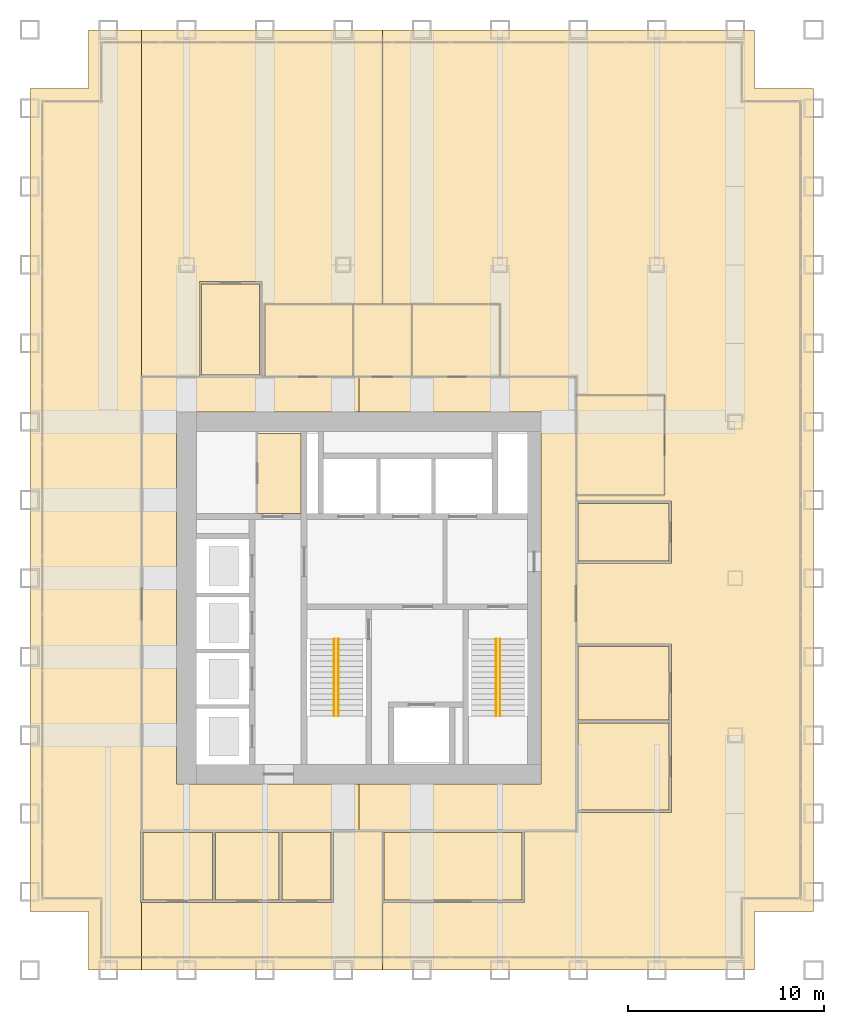
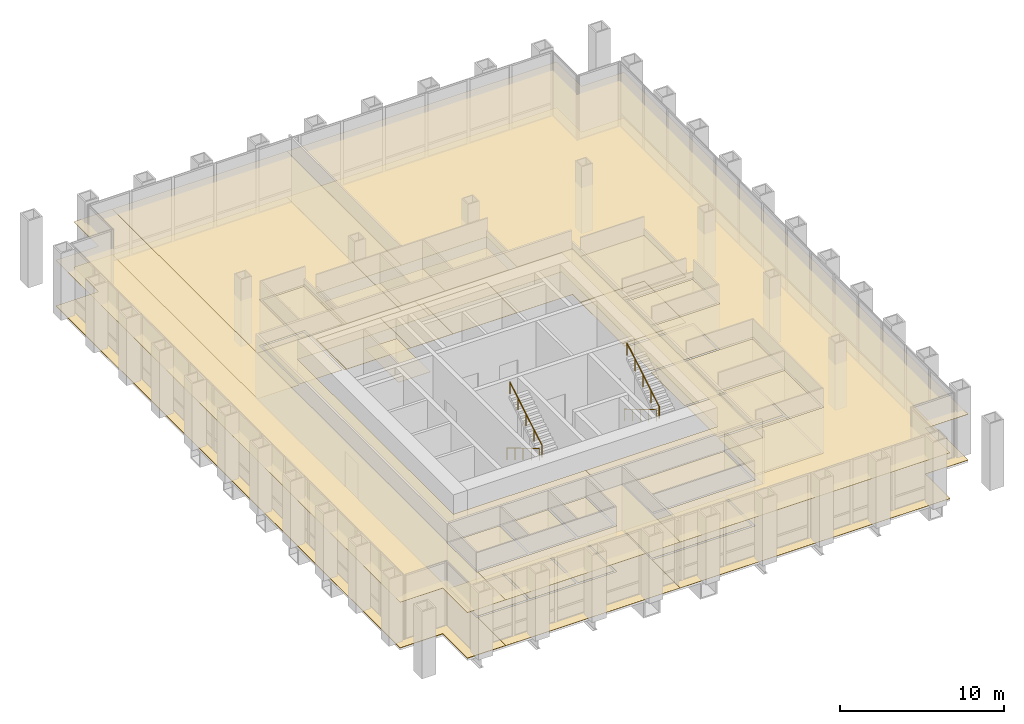
# One storey, part 12 of 13: 35 coverings, 4 railings.
"""IFC4 building model written with IfcOpenShell, lengths in metres."""

import ifcopenshell
import ifcopenshell.guid

model = None  # the IFC model being written
_history = None  # IfcOwnerHistory: only IFC2X3 demands one
_inside = {}  # id of a spatial element -> (the spatial element, [elements in it])
_under = {}  # id of a project, library or spatial element -> (it, [spatial elements below it])
_declared = {}  # id of a project -> (the project, [libraries it declares])
_typed = {}  # id of a type object -> (the type object, [elements of that type])
_made_of = {}  # id of a material, layer set ... -> (it, [elements and type objects made of it])


def new_model(schema):
    """Start an empty IFC model of exactly this schema.

    Asked for "IFC4X3", IfcOpenShell would pick the latest addendum, in which some entities
    have other attributes; the version numbers below select the first issue.
    IFC2X3 requires an IfcOwnerHistory on every rooted entity: one is made here for all.
    """
    global model, _history
    if schema == "IFC4X3":
        model = ifcopenshell.file(schema_version=(4, 3, 0, 0))
    else:
        model = ifcopenshell.file(schema=schema)
    _inside.clear()
    _under.clear()
    _declared.clear()
    _typed.clear()
    _made_of.clear()
    _history = None
    if model.schema == "IFC2X3":
        org = make("IfcOrganization", Name="unknown")
        user = make(
            "IfcPersonAndOrganization",
            ThePerson=make("IfcPerson", FamilyName="unknown"),
            TheOrganization=org,
        )
        app = make(
            "IfcApplication",
            ApplicationDeveloper=org,
            Version="unknown",
            ApplicationFullName="unknown",
            ApplicationIdentifier="unknown",
        )
        _history = make(
            "IfcOwnerHistory",
            OwningUser=user,
            OwningApplication=app,
            ChangeAction="ADDED",
            CreationDate=0,
        )
    return model


def make(cls, **values):
    """One entity of the class cls with the attributes given. An attribute that is None is left unset."""
    return model.create_entity(
        cls, **{name: value for name, value in values.items() if value is not None}
    )


def rooted(cls, **values):
    """An entity with a GlobalId (a new one), such as an element, a storey or a relation."""
    return make(cls, GlobalId=ifcopenshell.guid.new(), OwnerHistory=_history, **values)


def si_unit(unit_type, name, prefix=None):
    """IfcSIUnit, for example si_unit("LENGTHUNIT", "METRE", prefix="MILLI")."""
    return make("IfcSIUnit", UnitType=unit_type, Prefix=prefix, Name=name)


def assignment(units):
    """IfcUnitAssignment: the units of a project."""
    return None if units is None else make("IfcUnitAssignment", Units=units)


def point(xyz):
    """IfcCartesianPoint."""
    return None if xyz is None else make("IfcCartesianPoint", Coordinates=xyz)


def direction(xyz):
    """IfcDirection."""
    return None if xyz is None else make("IfcDirection", DirectionRatios=xyz)


def frame(location, z_axis=None, x_axis=None):
    """IfcAxis2Placement3D, a coordinate frame: its origin and axes. An axis left out is left unset."""
    return make(
        "IfcAxis2Placement3D",
        Location=point(location),
        Axis=direction(z_axis),
        RefDirection=direction(x_axis),
    )


def frame_2d(location, x_axis=None):
    """IfcAxis2Placement2D, a coordinate frame in the plane: its origin and x axis."""
    return make(
        "IfcAxis2Placement2D", Location=point(location), RefDirection=direction(x_axis)
    )


def origin():
    """The frame at (0, 0, 0) with its axes left unset."""
    return frame((0.0, 0.0, 0.0))


def origin_2d():
    """The frame at (0, 0) in the plane with its x axis left unset."""
    return frame_2d((0.0, 0.0))


def place(relative_to, where):
    """IfcLocalPlacement: puts the frame where relative to a parent placement (None: the world)."""
    return make(
        "IfcLocalPlacement", PlacementRelTo=relative_to, RelativePlacement=where
    )


def context(
    kind, dimensions, precision=None, world=None, true_north=None, identifier=None
):
    """IfcGeometricRepresentationContext, for example the 3D "Model" context."""
    return make(
        "IfcGeometricRepresentationContext",
        ContextIdentifier=identifier,
        ContextType=kind,
        CoordinateSpaceDimension=dimensions,
        Precision=precision,
        WorldCoordinateSystem=world,
        TrueNorth=true_north,
    )


def subcontext(parent, identifier, kind, view, scale=None):
    """IfcGeometricRepresentationSubContext, for example "Body" below "Model"."""
    return make(
        "IfcGeometricRepresentationSubContext",
        ContextIdentifier=identifier,
        ContextType=kind,
        ParentContext=parent,
        TargetScale=scale,
        TargetView=view,
    )


def project(units=None, contexts=None):
    """IfcProject with its units and contexts."""
    return rooted(
        "IfcProject",
        Name="project",
        RepresentationContexts=contexts,
        UnitsInContext=assignment(units),
    )


def spatial(cls, under=None, at=None, **own):
    """A site, building, storey or space (cls), placed at a placement, below another one or the project."""
    s = rooted(cls, ObjectPlacement=at, **own)
    if under is not None:
        _under.setdefault(under.id(), (under, []))[1].append(s)
    return s


def polyline(points):
    """IfcPolyline through the points."""
    return make("IfcPolyline", Points=[point(p) for p in points])


def profile(cls, at=None, kind="AREA", **sizes):
    """A parametric profile (cls). Its sizes go by their IFC names, for example OverallWidth=200.0."""
    return make(cls, ProfileType=kind, Position=at, **sizes)


def circle(**sizes):
    """IfcCircleProfileDef."""
    return profile("IfcCircleProfileDef", **sizes)


def outline(outer, holes=None, kind="AREA"):
    """IfcArbitraryClosedProfileDef: a profile drawn as a closed curve; with holes, ...WithVoids."""
    if holes is None:
        return make("IfcArbitraryClosedProfileDef", ProfileType=kind, OuterCurve=outer)
    return make(
        "IfcArbitraryProfileDefWithVoids",
        ProfileType=kind,
        OuterCurve=outer,
        InnerCurves=holes,
    )


def extrude(swept, where, along, depth):
    """IfcExtrudedAreaSolid: the profile swept, set in the frame where, extruded along a direction by depth."""
    return make(
        "IfcExtrudedAreaSolid",
        SweptArea=swept,
        Position=where,
        ExtrudedDirection=direction(along),
        Depth=depth,
    )


def shape(context_of_items, identifier, shape_type, items):
    """IfcShapeRepresentation: the items that make up one representation, for example the "Body"."""
    return make(
        "IfcShapeRepresentation",
        ContextOfItems=context_of_items,
        RepresentationIdentifier=identifier,
        RepresentationType=shape_type,
        Items=items,
    )


def material(Name=None, Category=None):
    """IfcMaterial."""
    return make("IfcMaterial", Name=Name, Category=Category)


def layer(
    of_material, thickness, ventilated=None, Name=None, Category=None, Priority=None
):
    """IfcMaterialLayer: one layer of a wall or slab, of a material (None: an air gap)."""
    return make(
        "IfcMaterialLayer",
        Material=of_material,
        LayerThickness=thickness,
        IsVentilated=ventilated,
        Name=Name,
        Category=Category,
        Priority=Priority,
    )


def layer_set(layers, Name=None):
    """IfcMaterialLayerSet."""
    return make("IfcMaterialLayerSet", MaterialLayers=layers, LayerSetName=Name)


def made_of(thing, what):
    """Note that an element or type object is made of a material, layer set ...; save() writes the relation."""
    if what is not None:
        _made_of.setdefault(what.id(), (what, []))[1].append(thing)
    return thing


def type_object(cls, material=None, **own):
    """A type object (cls), such as IfcWallType, which elements share."""
    return made_of(rooted(cls, **own), material)


def element(
    cls,
    number,
    at=None,
    inside=None,
    cuts=None,
    type_object=None,
    material=None,
    context=None,
    identifier="Body",
    shape_type=None,
    held_by="IfcProductDefinitionShape",
    body=None,
    shapes=None,
    **own,
):
    """One element of the class cls, such as IfcWall. Its Tag is "e" and its number.

    at: its placement. inside: the storey or other place that contains it. cuts: it is an
    opening in that element (IfcRelVoidsElement). A single representation is given by context,
    identifier, shape_type and body (its items); several are given by shapes. held_by: the class
    of the entity that holds the representations. save() writes the other relations.
    """
    e = rooted(cls, Tag="e%d" % number, ObjectPlacement=at, **own)
    if body is not None:
        shapes = [shape(context, identifier, shape_type, body)]
    if shapes is not None:
        e.Representation = make(held_by, Representations=shapes)
    if inside is not None:
        _inside.setdefault(inside.id(), (inside, []))[1].append(e)
    if cuts is not None:
        rooted(
            "IfcRelVoidsElement", RelatingBuildingElement=cuts, RelatedOpeningElement=e
        )
    if type_object is not None:
        _typed.setdefault(type_object.id(), (type_object, []))[1].append(e)
    return made_of(e, material)


def aggregate(whole, parts):
    """IfcRelAggregates: a whole, such as a stair, and the parts it consists of."""
    return rooted("IfcRelAggregates", RelatingObject=whole, RelatedObjects=parts)


def save(model, path):
    """Write the relations noted so far, then the file.

    IfcRelAggregates (storeys below a building ...), IfcRelContainedInSpatialStructure (elements
    in a storey), IfcRelDefinesByType, IfcRelAssociatesMaterial and IfcRelDeclares: one each for
    every whole, place, type object, material and project.
    """
    for whole, parts in _under.values():
        aggregate(whole, parts)
    for where, things in _inside.values():
        rooted(
            "IfcRelContainedInSpatialStructure",
            RelatedElements=things,
            RelatingStructure=where,
        )
    for kind, things in _typed.values():
        rooted("IfcRelDefinesByType", RelatedObjects=things, RelatingType=kind)
    for what, things in _made_of.values():
        rooted("IfcRelAssociatesMaterial", RelatedObjects=things, RelatingMaterial=what)
    for by, libraries in _declared.values():
        rooted("IfcRelDeclares", RelatingContext=by, RelatedDefinitions=libraries)
    model.write(path)


model = new_model("IFC4")

# Units and contexts
model_context = context("Model", 3, precision=1e-05, world=origin(), true_north=direction((0.0, 1.0)))
body_context = subcontext(model_context, "Body", "Model", "MODEL_VIEW")
ifc_project = project(units=[si_unit("LENGTHUNIT", "METRE"), si_unit("AREAUNIT", "SQUARE_METRE"), si_unit("VOLUMEUNIT", "CUBIC_METRE"), si_unit("PLANEANGLEUNIT", "RADIAN"), si_unit("MASSUNIT", "GRAM", prefix="KILO")], contexts=[model_context])

# Site, building, storey
site_placement = place(None, origin())
site = spatial("IfcSite", under=ifc_project, at=site_placement, CompositionType="ELEMENT")
building_placement = place(site_placement, origin())
building = spatial("IfcBuilding", under=site, at=building_placement, Name="Rimbunsela Tower", CompositionType="ELEMENT")
storey_placement = place(building_placement, frame((0.0, 0.0, 209.199951171875)))
storey = spatial("IfcBuildingStorey", under=building, at=storey_placement, Name="L50", CompositionType="ELEMENT", Elevation=209.199951171875)

# Coverings
ifc_material_1 = material(Name="Nylon carpet tile", Category="textile")
ifc_layer_1 = layer(ifc_material_1, 0.010009765625)
ifc_layer_set_1 = layer_set([ifc_layer_1], Name="Carpet tile 10")
covering_type_1 = type_object("IfcCoveringType", Name="Carpet tile 10", PredefinedType="FLOORING", material=ifc_layer_set_1)
covering_1_placement = place(storey_placement, origin())
element("IfcCovering", 1, at=covering_1_placement, inside=storey, type_object=covering_type_1, Name="Floor finish Business centre", PredefinedType="FLOORING", context=body_context, shape_type="SweptSolid", body=[
    extrude(outline(polyline([(19.449951171875, 11.449951171875), (22.75, 11.449951171875), (22.85009765625, 11.449951171875), (25.5, 11.449951171875), (25.5, 15.10009765625), (27.9990234375, 15.10009765625), (27.9990234375, 8.0), (15.699951171875, 8.0), (15.699951171875, 11.449951171875), (19.35009765625, 11.449951171875), (19.449951171875, 11.449951171875)])), origin(), (0.0, 0.0, 1.0), 0.010009765625),
])
covering_2_placement = place(storey_placement, origin())
element("IfcCovering", 2, at=covering_2_placement, inside=storey, type_object=covering_type_1, Name="Floor finish Business centre", PredefinedType="FLOORING", context=body_context, shape_type="SweptSolid", body=[
    extrude(outline(polyline([(27.9990234375, 42.0), (22.0, 42.0), (22.0, 38.300048828125), (21.85009765625, 38.300048828125), (21.85009765625, 43.14990234375), (18.64990234375, 43.14990234375), (18.64990234375, 38.300048828125), (15.699951171875, 38.300048828125), (15.699951171875, 56.0), (27.9990234375, 56.0), (27.9990234375, 42.0)])), origin(), (0.0, 0.0, 1.0), 0.010009765625),
])
covering_3_placement = place(storey_placement, origin())
element("IfcCovering", 3, at=covering_3_placement, inside=storey, type_object=covering_type_1, Name="Floor finish Open office", PredefinedType="FLOORING", context=body_context, shape_type="SweptSolid", body=[
    extrude(outline(polyline([(28.0009765625, 11.449951171875), (35.2509765625, 11.449951171875), (35.2509765625, 15.10009765625), (37.89990234375, 15.10009765625), (37.89990234375, 16.050048828125), (42.75, 16.050048828125), (42.75, 20.64990234375), (42.75, 20.75), (42.75, 24.64990234375), (37.89990234375, 24.64990234375), (37.89990234375, 28.75), (42.75, 28.75), (42.75, 31.949951171875), (37.89990234375, 31.949951171875), (37.89990234375, 32.25), (42.39990234375, 32.25), (42.39990234375, 37.35009765625), (37.89990234375, 37.35009765625), (37.89990234375, 38.300048828125), (34.0, 38.300048828125), (34.0, 42.0), (28.0009765625, 42.0), (28.0009765625, 56.0), (37.89990234375, 56.0), (47.0, 56.0), (47.0, 53.0), (50.0, 53.0), (50.0, 11.0), (47.0, 11.0), (47.0, 8.0), (37.89990234375, 8.0), (28.0009765625, 8.0), (28.0009765625, 11.449951171875)])), origin(), (0.0, 0.0, 1.0), 0.010009765625),
])
covering_4_placement = place(storey_placement, origin())
element("IfcCovering", 4, at=covering_4_placement, inside=storey, type_object=covering_type_1, Name="Floor finish Reception", PredefinedType="FLOORING", context=body_context, shape_type="SweptSolid", body=[
    extrude(outline(polyline([(42.39990234375, 32.25), (42.39990234375, 37.35009765625), (37.89990234375, 37.35009765625), (37.89990234375, 32.25), (42.39990234375, 32.25)])), origin(), (0.0, 0.0, 1.0), 0.010009765625),
])
covering_5_placement = place(storey_placement, origin())
element("IfcCovering", 5, at=covering_5_placement, inside=storey, type_object=covering_type_1, Name="Floor finish Meeting room", PredefinedType="FLOORING", context=body_context, shape_type="SweptSolid", body=[
    extrude(outline(polyline([(19.324951171875, 11.574951171875), (19.324951171875, 15.02490234375), (15.77490234375, 15.02490234375), (15.77490234375, 11.574951171875), (19.324951171875, 11.574951171875)])), origin(), (0.0, 0.0, 1.0), 0.010009765625),
])
covering_6_placement = place(storey_placement, origin())
element("IfcCovering", 6, at=covering_6_placement, inside=storey, type_object=covering_type_1, Name="Floor finish Pantry", PredefinedType="FLOORING", context=body_context, shape_type="SweptSolid", body=[
    extrude(outline(polyline([(22.72509765625, 11.574951171875), (22.72509765625, 15.02490234375), (19.47509765625, 15.02490234375), (19.47509765625, 11.574951171875), (22.72509765625, 11.574951171875)])), origin(), (0.0, 0.0, 1.0), 0.010009765625),
])
covering_7_placement = place(storey_placement, origin())
element("IfcCovering", 7, at=covering_7_placement, inside=storey, type_object=covering_type_1, Name="Floor finish Print and copy room", PredefinedType="FLOORING", context=body_context, shape_type="SweptSolid", body=[
    extrude(outline(polyline([(25.375, 11.574951171875), (25.375, 15.02490234375), (22.875, 15.02490234375), (22.875, 11.574951171875), (25.375, 11.574951171875)])), origin(), (0.0, 0.0, 1.0), 0.010009765625),
])
covering_8_placement = place(storey_placement, origin())
element("IfcCovering", 8, at=covering_8_placement, inside=storey, type_object=covering_type_1, Name="Floor finish Boardroom", PredefinedType="FLOORING", context=body_context, shape_type="SweptSolid", body=[
    extrude(outline(polyline([(35.1259765625, 11.574951171875), (35.1259765625, 15.02490234375), (28.075927734375, 15.02490234375), (28.075927734375, 11.574951171875), (35.1259765625, 11.574951171875)])), origin(), (0.0, 0.0, 1.0), 0.010009765625),
])
covering_9_placement = place(storey_placement, origin())
element("IfcCovering", 9, at=covering_9_placement, inside=storey, type_object=covering_type_1, Name="Floor finish Pantry", PredefinedType="FLOORING", context=body_context, shape_type="SweptSolid", body=[
    extrude(outline(polyline([(42.625, 16.175048828125), (42.625, 20.625), (37.97509765625, 20.625), (37.97509765625, 16.175048828125), (42.625, 16.175048828125)])), origin(), (0.0, 0.0, 1.0), 0.010009765625),
])
covering_10_placement = place(storey_placement, origin())
element("IfcCovering", 10, at=covering_10_placement, inside=storey, type_object=covering_type_1, Name="Floor finish Print and copy room", PredefinedType="FLOORING", context=body_context, shape_type="SweptSolid", body=[
    extrude(outline(polyline([(42.625, 20.77490234375), (42.625, 24.52490234375), (37.97509765625, 24.52490234375), (37.97509765625, 20.77490234375), (42.625, 20.77490234375)])), origin(), (0.0, 0.0, 1.0), 0.010009765625),
])
covering_11_placement = place(storey_placement, origin())
element("IfcCovering", 11, at=covering_11_placement, inside=storey, type_object=covering_type_1, Name="Floor finish Office", PredefinedType="FLOORING", context=body_context, shape_type="SweptSolid", body=[
    extrude(outline(polyline([(42.625, 28.875), (42.625, 31.824951171875), (37.97509765625, 31.824951171875), (37.97509765625, 28.875), (42.625, 28.875)])), origin(), (0.0, 0.0, 1.0), 0.010009765625),
])
covering_12_placement = place(storey_placement, origin())
element("IfcCovering", 12, at=covering_12_placement, inside=storey, type_object=covering_type_1, Name="Floor finish Office", PredefinedType="FLOORING", context=body_context, shape_type="SweptSolid", body=[
    extrude(outline(polyline([(21.72509765625, 38.375), (21.72509765625, 43.02490234375), (18.77490234375, 43.02490234375), (18.77490234375, 38.375), (21.72509765625, 38.375)])), origin(), (0.0, 0.0, 1.0), 0.010009765625),
])
ifc_material_2 = material(Name="Mineral fibre ceiling tile", Category="gypsum")
ifc_layer_2 = layer(ifc_material_2, 0.02001953125)
ifc_layer_set_2 = layer_set([ifc_layer_2], Name="Ceiling 600 grid")
covering_type_2 = type_object("IfcCoveringType", Name="Ceiling 600 grid", PredefinedType="CEILING", material=ifc_layer_set_2)
covering_13_placement = place(storey_placement, frame((0.0, 0.0, 3.400146484375)))
element("IfcCovering", 13, at=covering_13_placement, inside=storey, type_object=covering_type_2, Name="Ceiling Staff pantry", PredefinedType="CEILING", context=body_context, shape_type="SweptSolid", body=[
    extrude(outline(polyline([(23.85009765625, 31.300048828125), (23.85009765625, 35.39990234375), (21.60009765625, 35.39990234375), (21.60009765625, 31.300048828125), (23.85009765625, 31.300048828125)])), origin(), (0.0, 0.0, 1.0), 0.02001953125),
])
covering_14_placement = place(storey_placement, frame((0.0, 0.0, 3.400146484375)))
element("IfcCovering", 14, at=covering_14_placement, inside=storey, type_object=covering_type_2, Name="Ceiling Ring corridor", PredefinedType="CEILING", context=body_context, shape_type="SweptSolid", body=[
    extrude(outline(polyline([(15.699951171875, 38.300048828125), (26.800048828125, 38.300048828125), (26.800048828125, 36.5), (17.5, 36.5), (17.5, 17.5), (26.800048828125, 17.5), (26.800048828125, 15.10009765625), (15.699951171875, 15.10009765625), (15.699951171875, 38.300048828125)])), origin(), (0.0, 0.0, 1.0), 0.02001953125),
])
covering_15_placement = place(storey_placement, frame((0.0, 0.0, 3.400146484375)))
element("IfcCovering", 15, at=covering_15_placement, inside=storey, type_object=covering_type_2, Name="Ceiling Ring corridor", PredefinedType="CEILING", context=body_context, shape_type="SweptSolid", body=[
    extrude(outline(polyline([(37.89990234375, 38.300048828125), (37.89990234375, 15.10009765625), (26.800048828125, 15.10009765625), (26.800048828125, 17.5), (36.10009765625, 17.5), (36.10009765625, 36.5), (26.800048828125, 36.5), (26.800048828125, 38.300048828125), (37.89990234375, 38.300048828125)])), origin(), (0.0, 0.0, 1.0), 0.02001953125),
])
covering_16_placement = place(storey_placement, frame((0.0, 0.0, 3.400146484375)))
element("IfcCovering", 16, at=covering_16_placement, inside=storey, type_object=covering_type_2, Name="Ceiling Business centre", PredefinedType="CEILING", context=body_context, shape_type="SweptSolid", body=[
    extrude(outline(polyline([(19.449951171875, 11.449951171875), (22.75, 11.449951171875), (22.85009765625, 11.449951171875), (25.5, 11.449951171875), (25.5, 15.10009765625), (27.9990234375, 15.10009765625), (27.9990234375, 8.0), (15.699951171875, 8.0), (15.699951171875, 11.449951171875), (19.35009765625, 11.449951171875), (19.449951171875, 11.449951171875)])), origin(), (0.0, 0.0, 1.0), 0.02001953125),
])
covering_17_placement = place(storey_placement, frame((0.0, 0.0, 3.400146484375)))
element("IfcCovering", 17, at=covering_17_placement, inside=storey, type_object=covering_type_2, Name="Ceiling Business centre", PredefinedType="CEILING", context=body_context, shape_type="SweptSolid", body=[
    extrude(outline(polyline([(27.9990234375, 42.0), (22.0, 42.0), (22.0, 38.300048828125), (21.85009765625, 38.300048828125), (21.85009765625, 43.14990234375), (18.64990234375, 43.14990234375), (18.64990234375, 38.300048828125), (15.699951171875, 38.300048828125), (15.699951171875, 56.0), (27.9990234375, 56.0), (27.9990234375, 42.0)])), origin(), (0.0, 0.0, 1.0), 0.02001953125),
])
covering_18_placement = place(storey_placement, frame((0.0, 0.0, 3.400146484375)))
element("IfcCovering", 18, at=covering_18_placement, inside=storey, type_object=covering_type_2, Name="Ceiling Open office", PredefinedType="CEILING", context=body_context, shape_type="SweptSolid", body=[
    extrude(outline(polyline([(28.0009765625, 11.449951171875), (35.2509765625, 11.449951171875), (35.2509765625, 15.10009765625), (37.89990234375, 15.10009765625), (37.89990234375, 16.050048828125), (42.75, 16.050048828125), (42.75, 20.64990234375), (42.75, 20.75), (42.75, 24.64990234375), (37.89990234375, 24.64990234375), (37.89990234375, 28.75), (42.75, 28.75), (42.75, 31.949951171875), (37.89990234375, 31.949951171875), (37.89990234375, 32.25), (42.39990234375, 32.25), (42.39990234375, 37.35009765625), (37.89990234375, 37.35009765625), (37.89990234375, 38.300048828125), (34.0, 38.300048828125), (34.0, 42.0), (28.0009765625, 42.0), (28.0009765625, 56.0), (37.89990234375, 56.0), (47.0, 56.0), (47.0, 53.0), (50.0, 53.0), (50.0, 11.0), (47.0, 11.0), (47.0, 8.0), (37.89990234375, 8.0), (28.0009765625, 8.0), (28.0009765625, 11.449951171875)])), origin(), (0.0, 0.0, 1.0), 0.02001953125),
])
covering_19_placement = place(storey_placement, frame((0.0, 0.0, 3.400146484375)))
element("IfcCovering", 19, at=covering_19_placement, inside=storey, type_object=covering_type_2, Name="Ceiling Reception", PredefinedType="CEILING", context=body_context, shape_type="SweptSolid", body=[
    extrude(outline(polyline([(42.39990234375, 32.25), (42.39990234375, 37.35009765625), (37.89990234375, 37.35009765625), (37.89990234375, 32.25), (42.39990234375, 32.25)])), origin(), (0.0, 0.0, 1.0), 0.02001953125),
])
covering_20_placement = place(storey_placement, frame((0.0, 0.0, 3.400146484375)))
element("IfcCovering", 20, at=covering_20_placement, inside=storey, type_object=covering_type_2, Name="Ceiling Meeting room", PredefinedType="CEILING", context=body_context, shape_type="SweptSolid", body=[
    extrude(outline(polyline([(19.324951171875, 11.574951171875), (19.324951171875, 15.02490234375), (15.77490234375, 15.02490234375), (15.77490234375, 11.574951171875), (19.324951171875, 11.574951171875)])), origin(), (0.0, 0.0, 1.0), 0.02001953125),
])
covering_21_placement = place(storey_placement, frame((0.0, 0.0, 3.400146484375)))
element("IfcCovering", 21, at=covering_21_placement, inside=storey, type_object=covering_type_2, Name="Ceiling Pantry", PredefinedType="CEILING", context=body_context, shape_type="SweptSolid", body=[
    extrude(outline(polyline([(22.72509765625, 11.574951171875), (22.72509765625, 15.02490234375), (19.47509765625, 15.02490234375), (19.47509765625, 11.574951171875), (22.72509765625, 11.574951171875)])), origin(), (0.0, 0.0, 1.0), 0.02001953125),
])
covering_22_placement = place(storey_placement, frame((0.0, 0.0, 3.400146484375)))
element("IfcCovering", 22, at=covering_22_placement, inside=storey, type_object=covering_type_2, Name="Ceiling Print and copy room", PredefinedType="CEILING", context=body_context, shape_type="SweptSolid", body=[
    extrude(outline(polyline([(25.375, 11.574951171875), (25.375, 15.02490234375), (22.875, 15.02490234375), (22.875, 11.574951171875), (25.375, 11.574951171875)])), origin(), (0.0, 0.0, 1.0), 0.02001953125),
])
covering_23_placement = place(storey_placement, frame((0.0, 0.0, 3.400146484375)))
element("IfcCovering", 23, at=covering_23_placement, inside=storey, type_object=covering_type_2, Name="Ceiling Boardroom", PredefinedType="CEILING", context=body_context, shape_type="SweptSolid", body=[
    extrude(outline(polyline([(35.1259765625, 11.574951171875), (35.1259765625, 15.02490234375), (28.075927734375, 15.02490234375), (28.075927734375, 11.574951171875), (35.1259765625, 11.574951171875)])), origin(), (0.0, 0.0, 1.0), 0.02001953125),
])
covering_24_placement = place(storey_placement, frame((0.0, 0.0, 3.400146484375)))
element("IfcCovering", 24, at=covering_24_placement, inside=storey, type_object=covering_type_2, Name="Ceiling Pantry", PredefinedType="CEILING", context=body_context, shape_type="SweptSolid", body=[
    extrude(outline(polyline([(42.625, 16.175048828125), (42.625, 20.625), (37.97509765625, 20.625), (37.97509765625, 16.175048828125), (42.625, 16.175048828125)])), origin(), (0.0, 0.0, 1.0), 0.02001953125),
])
covering_25_placement = place(storey_placement, frame((0.0, 0.0, 3.400146484375)))
element("IfcCovering", 25, at=covering_25_placement, inside=storey, type_object=covering_type_2, Name="Ceiling Print and copy room", PredefinedType="CEILING", context=body_context, shape_type="SweptSolid", body=[
    extrude(outline(polyline([(42.625, 20.77490234375), (42.625, 24.52490234375), (37.97509765625, 24.52490234375), (37.97509765625, 20.77490234375), (42.625, 20.77490234375)])), origin(), (0.0, 0.0, 1.0), 0.02001953125),
])
covering_26_placement = place(storey_placement, frame((0.0, 0.0, 3.400146484375)))
element("IfcCovering", 26, at=covering_26_placement, inside=storey, type_object=covering_type_2, Name="Ceiling Office", PredefinedType="CEILING", context=body_context, shape_type="SweptSolid", body=[
    extrude(outline(polyline([(42.625, 28.875), (42.625, 31.824951171875), (37.97509765625, 31.824951171875), (37.97509765625, 28.875), (42.625, 28.875)])), origin(), (0.0, 0.0, 1.0), 0.02001953125),
])
covering_27_placement = place(storey_placement, frame((0.0, 0.0, 3.400146484375)))
element("IfcCovering", 27, at=covering_27_placement, inside=storey, type_object=covering_type_2, Name="Ceiling Office", PredefinedType="CEILING", context=body_context, shape_type="SweptSolid", body=[
    extrude(outline(polyline([(21.72509765625, 38.375), (21.72509765625, 43.02490234375), (18.77490234375, 43.02490234375), (18.77490234375, 38.375), (21.72509765625, 38.375)])), origin(), (0.0, 0.0, 1.0), 0.02001953125),
])
ifc_material_3 = material(Name="Moisture-resistant plasterboard ceiling", Category="gypsum")
ifc_layer_3 = layer(ifc_material_3, 0.012451171875)
ifc_layer_set_3 = layer_set([ifc_layer_3], Name="Ceiling moisture-resistant board")
covering_type_3 = type_object("IfcCoveringType", Name="Ceiling moisture-resistant board", PredefinedType="CEILING", material=ifc_layer_set_3)
covering_28_placement = place(storey_placement, frame((0.0, 0.0, 2.60009765625)))
element("IfcCovering", 28, at=covering_28_placement, inside=storey, type_object=covering_type_3, Name="Ceiling Female WC", PredefinedType="CEILING", context=body_context, shape_type="SweptSolid", body=[
    extrude(outline(polyline([(26.5, 38.300048828125), (26.5, 42.0), (22.0, 42.0), (22.0, 38.300048828125), (26.5, 38.300048828125)])), origin(), (0.0, 0.0, 1.0), 0.02001953125),
])
covering_29_placement = place(storey_placement, frame((0.0, 0.0, 2.60009765625)))
element("IfcCovering", 29, at=covering_29_placement, inside=storey, type_object=covering_type_3, Name="Ceiling Accessible WC", PredefinedType="CEILING", context=body_context, shape_type="SweptSolid", body=[
    extrude(outline(polyline([(29.5, 38.300048828125), (29.5, 42.0), (26.5, 42.0), (26.5, 38.300048828125), (29.5, 38.300048828125)])), origin(), (0.0, 0.0, 1.0), 0.02001953125),
])
covering_30_placement = place(storey_placement, frame((0.0, 0.0, 2.60009765625)))
element("IfcCovering", 30, at=covering_30_placement, inside=storey, type_object=covering_type_3, Name="Ceiling Male WC", PredefinedType="CEILING", context=body_context, shape_type="SweptSolid", body=[
    extrude(outline(polyline([(34.0, 38.300048828125), (34.0, 42.0), (29.5, 42.0), (29.5, 38.300048828125), (34.0, 38.300048828125)])), origin(), (0.0, 0.0, 1.0), 0.02001953125),
])
ifc_material_4 = material(Name="Timber slat ceiling on suspension grid", Category="wood")
ifc_layer_4 = layer(ifc_material_4, 0.0400390625)
ifc_layer_set_4 = layer_set([ifc_layer_4], Name="Ceiling timber slat")
covering_type_4 = type_object("IfcCoveringType", Name="Ceiling timber slat", PredefinedType="CEILING", material=ifc_layer_set_4)
covering_31_placement = place(storey_placement, frame((0.0, 0.0, 3.400146484375)))
element("IfcCovering", 31, at=covering_31_placement, inside=storey, type_object=covering_type_4, Name="Ceiling Sky lobby", PredefinedType="CEILING", context=body_context, shape_type="SweptSolid", body=[
    extrude(outline(polyline([(15.699951171875, 56.0), (15.699951171875, 38.300048828125), (15.699951171875, 15.14990234375), (15.64990234375, 15.14990234375), (15.64990234375, 11.449951171875), (15.699951171875, 11.449951171875), (15.699951171875, 8.0), (13.0, 8.0), (13.0, 11.0), (10.0, 11.0), (10.0, 53.0), (13.0, 53.0), (13.0, 56.0), (15.699951171875, 56.0)])), origin(), (0.0, 0.0, 1.0), 0.02001953125),
])
ifc_material_5 = material(Name="Honed granite floor on mortar bed", Category="masonry")
ifc_layer_5 = layer(ifc_material_5, 0.030029296875)
ifc_layer_set_5 = layer_set([ifc_layer_5], Name="Granite floor 30")
covering_type_5 = type_object("IfcCoveringType", Name="Granite floor 30", PredefinedType="FLOORING", material=ifc_layer_set_5)
covering_32_placement = place(storey_placement, origin())
element("IfcCovering", 32, at=covering_32_placement, inside=storey, type_object=covering_type_5, Name="Floor finish Sky lobby", PredefinedType="FLOORING", context=body_context, shape_type="SweptSolid", body=[
    extrude(outline(polyline([(15.699951171875, 56.0), (15.699951171875, 38.300048828125), (15.699951171875, 15.14990234375), (15.64990234375, 15.14990234375), (15.64990234375, 11.449951171875), (15.699951171875, 11.449951171875), (15.699951171875, 8.0), (13.0, 8.0), (13.0, 11.0), (10.0, 11.0), (10.0, 53.0), (13.0, 53.0), (13.0, 56.0), (15.699951171875, 56.0)])), origin(), (0.0, 0.0, 1.0), 0.030029296875),
])
ifc_material_6 = material(Name="Porcelain floor tile in adhesive bed", Category="ceramic")
ifc_layer_6 = layer(ifc_material_6, 0.02001953125)
ifc_layer_set_6 = layer_set([ifc_layer_6], Name="Porcelain tile 20")
covering_type_6 = type_object("IfcCoveringType", Name="Porcelain tile 20", PredefinedType="FLOORING", material=ifc_layer_set_6)
covering_33_placement = place(storey_placement, origin())
element("IfcCovering", 33, at=covering_33_placement, inside=storey, type_object=covering_type_6, Name="Floor finish Female WC", PredefinedType="FLOORING", context=body_context, shape_type="SweptSolid", body=[
    extrude(outline(polyline([(26.5, 38.300048828125), (26.5, 42.0), (22.0, 42.0), (22.0, 38.300048828125), (26.5, 38.300048828125)])), origin(), (0.0, 0.0, 1.0), 0.02001953125),
])
covering_34_placement = place(storey_placement, origin())
element("IfcCovering", 34, at=covering_34_placement, inside=storey, type_object=covering_type_6, Name="Floor finish Accessible WC", PredefinedType="FLOORING", context=body_context, shape_type="SweptSolid", body=[
    extrude(outline(polyline([(29.5, 38.300048828125), (29.5, 42.0), (26.5, 42.0), (26.5, 38.300048828125), (29.5, 38.300048828125)])), origin(), (0.0, 0.0, 1.0), 0.02001953125),
])
covering_35_placement = place(storey_placement, origin())
element("IfcCovering", 35, at=covering_35_placement, inside=storey, type_object=covering_type_6, Name="Floor finish Male WC", PredefinedType="FLOORING", context=body_context, shape_type="SweptSolid", body=[
    extrude(outline(polyline([(34.0, 38.300048828125), (34.0, 42.0), (29.5, 42.0), (29.5, 38.300048828125), (34.0, 38.300048828125)])), origin(), (0.0, 0.0, 1.0), 0.02001953125),
])

# Railings
ifc_material_7 = material(Name="Stainless steel tube", Category="steel")
railing_type = type_object("IfcRailingType", Name="Stair handrail 900", PredefinedType="HANDRAIL", material=ifc_material_7)
railing_1_placement = place(storey_placement, frame((25.550048828125, 24.89990234375, 0.166748046875)))
element("IfcRailing", 36, at=railing_1_placement, inside=storey, type_object=railing_type, Name="Handrail ST-A flight 1", PredefinedType="HANDRAIL", context=body_context, shape_type="SweptSolid", body=[
    extrude(circle(Radius=0.02392578125, at=origin_2d()), frame((0.0, 0.0, 0.8759765625), z_axis=(0.0, -0.859296244711, 0.511478214419), x_axis=(1.0, 0.0, 0.0)), (0.0, 0.0, 1.0), 4.561767578125),
    extrude(circle(Radius=0.02099609375, at=origin_2d()), origin(), (0.0, 0.0, 1.0), 0.851806640625),
    extrude(circle(Radius=0.02099609375, at=origin_2d()), frame((0.0, -0.97998046875, 0.583251953125)), (0.0, 0.0, 1.0), 0.851806640625),
    extrude(circle(Radius=0.02099609375, at=origin_2d()), frame((0.0, -1.9599609375, 1.16650390625)), (0.0, 0.0, 1.0), 0.851806640625),
    extrude(circle(Radius=0.02099609375, at=origin_2d()), frame((0.0, -2.93994140625, 1.75)), (0.0, 0.0, 1.0), 0.851806640625),
    extrude(circle(Radius=0.02099609375, at=origin_2d()), frame((0.0, -3.919921875, 2.333251953125)), (0.0, 0.0, 1.0), 0.851806640625),
])
railing_2_placement = place(storey_placement, frame((25.75, 20.97998046875, 2.666748046875)))
element("IfcRailing", 37, at=railing_2_placement, inside=storey, type_object=railing_type, Name="Handrail ST-A flight 2", PredefinedType="HANDRAIL", context=body_context, shape_type="SweptSolid", body=[
    extrude(circle(Radius=0.02392578125, at=origin_2d()), frame((0.0, 0.0, 0.8759765625), z_axis=(0.0, 0.859296244711, 0.511478214419), x_axis=(-1.0, 0.0, 0.0)), (0.0, 0.0, 1.0), 4.561767578125),
    extrude(circle(Radius=0.02099609375, at=origin_2d()), origin(), (0.0, 0.0, 1.0), 0.851806640625),
    extrude(circle(Radius=0.02099609375, at=origin_2d()), frame((0.0, 0.97998046875, 0.583251953125)), (0.0, 0.0, 1.0), 0.851806640625),
    extrude(circle(Radius=0.02099609375, at=origin_2d()), frame((0.0, 1.9599609375, 1.16650390625)), (0.0, 0.0, 1.0), 0.851806640625),
    extrude(circle(Radius=0.02099609375, at=origin_2d()), frame((0.0, 2.93994140625, 1.75)), (0.0, 0.0, 1.0), 0.851806640625),
    extrude(circle(Radius=0.02099609375, at=origin_2d()), frame((0.0, 3.919921875, 2.333251953125)), (0.0, 0.0, 1.0), 0.851806640625),
])
railing_3_placement = place(storey_placement, frame((33.800048828125, 24.89990234375, 0.166748046875)))
element("IfcRailing", 38, at=railing_3_placement, inside=storey, type_object=railing_type, Name="Handrail ST-B flight 1", PredefinedType="HANDRAIL", context=body_context, shape_type="SweptSolid", body=[
    extrude(circle(Radius=0.02392578125, at=origin_2d()), frame((0.0, 0.0, 0.8759765625), z_axis=(0.0, -0.859296244711, 0.511478214419), x_axis=(1.0, 0.0, 0.0)), (0.0, 0.0, 1.0), 4.561767578125),
    extrude(circle(Radius=0.02099609375, at=origin_2d()), origin(), (0.0, 0.0, 1.0), 0.851806640625),
    extrude(circle(Radius=0.02099609375, at=origin_2d()), frame((0.0, -0.97998046875, 0.583251953125)), (0.0, 0.0, 1.0), 0.851806640625),
    extrude(circle(Radius=0.02099609375, at=origin_2d()), frame((0.0, -1.9599609375, 1.16650390625)), (0.0, 0.0, 1.0), 0.851806640625),
    extrude(circle(Radius=0.02099609375, at=origin_2d()), frame((0.0, -2.93994140625, 1.75)), (0.0, 0.0, 1.0), 0.851806640625),
    extrude(circle(Radius=0.02099609375, at=origin_2d()), frame((0.0, -3.919921875, 2.333251953125)), (0.0, 0.0, 1.0), 0.851806640625),
])
railing_4_placement = place(storey_placement, frame((34.0, 20.97998046875, 2.666748046875)))
element("IfcRailing", 39, at=railing_4_placement, inside=storey, type_object=railing_type, Name="Handrail ST-B flight 2", PredefinedType="HANDRAIL", context=body_context, shape_type="SweptSolid", body=[
    extrude(circle(Radius=0.02392578125, at=origin_2d()), frame((0.0, 0.0, 0.8759765625), z_axis=(0.0, 0.859296244711, 0.511478214419), x_axis=(-1.0, 0.0, 0.0)), (0.0, 0.0, 1.0), 4.561767578125),
    extrude(circle(Radius=0.02099609375, at=origin_2d()), origin(), (0.0, 0.0, 1.0), 0.851806640625),
    extrude(circle(Radius=0.02099609375, at=origin_2d()), frame((0.0, 0.97998046875, 0.583251953125)), (0.0, 0.0, 1.0), 0.851806640625),
    extrude(circle(Radius=0.02099609375, at=origin_2d()), frame((0.0, 1.9599609375, 1.16650390625)), (0.0, 0.0, 1.0), 0.851806640625),
    extrude(circle(Radius=0.02099609375, at=origin_2d()), frame((0.0, 2.93994140625, 1.75)), (0.0, 0.0, 1.0), 0.851806640625),
    extrude(circle(Radius=0.02099609375, at=origin_2d()), frame((0.0, 3.919921875, 2.333251953125)), (0.0, 0.0, 1.0), 0.851806640625),
])

save(model, "model.ifc")
